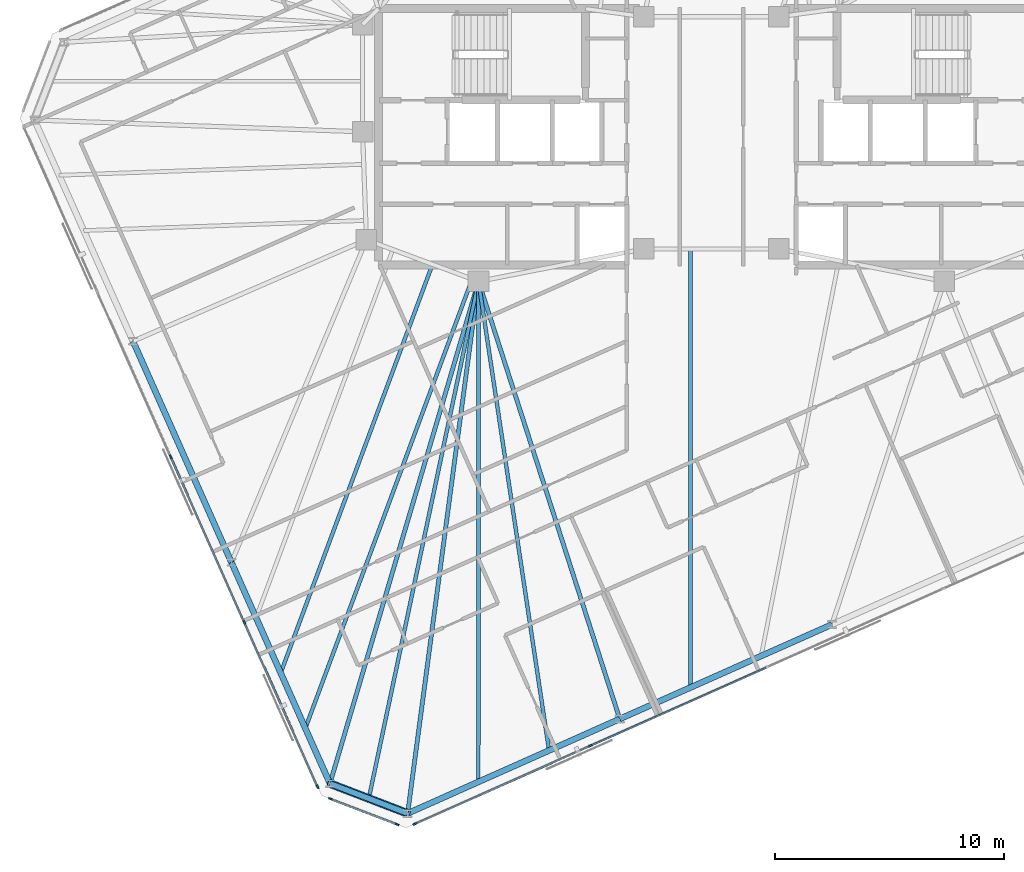
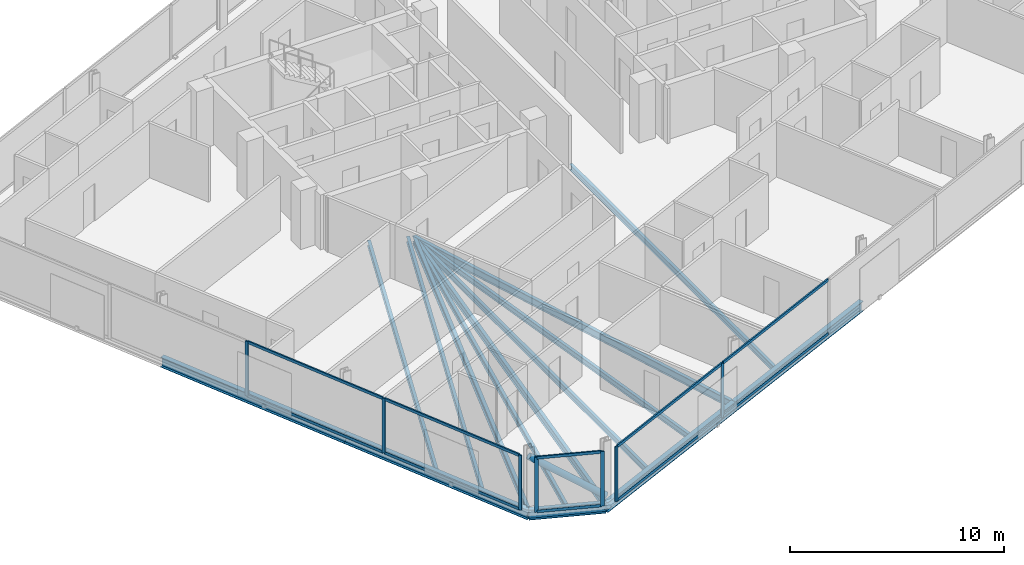
# One storey, part 5 of 19: 18 members, 14 beams, 3 elements without a shape of their own.
"""IFC4 building model written with IfcOpenShell, lengths in metres."""

from ifc_helpers import new_model, si_unit, direction, frame, origin, origin_2d, place, context, subcontext, project, spatial, rectangle, hollow_circle, i_section, extrude, material, material_profile, profile_set, type_object, element, aggregate, save


model = new_model("IFC4")

# Units and contexts
model_context = context("Model", 3, precision=1e-05, world=origin(), true_north=direction((0.0, 1.0)))
body_context = subcontext(model_context, "Body", "Model", "MODEL_VIEW")
ifc_project = project(units=[si_unit("LENGTHUNIT", "METRE"), si_unit("AREAUNIT", "SQUARE_METRE"), si_unit("VOLUMEUNIT", "CUBIC_METRE"), si_unit("PLANEANGLEUNIT", "RADIAN"), si_unit("MASSUNIT", "GRAM", prefix="KILO")], contexts=[model_context])

# Site, building, storey
site_placement = place(None, origin())
site = spatial("IfcSite", under=ifc_project, at=site_placement, CompositionType="ELEMENT")
building_placement = place(site_placement, origin())
building = spatial("IfcBuilding", under=site, at=building_placement, Name="Menara Jurai Vektor", CompositionType="ELEMENT")
storey_placement = place(building_placement, frame((0.0, 0.0, 295.300048828125)))
storey = spatial("IfcBuildingStorey", under=building, at=storey_placement, Name="L79", CompositionType="ELEMENT", Elevation=295.300048828125)

# Curtain wall, members
ifc_material_1 = material(Name="Anodised Pale Aluminium & Low-E Double Glazing", Category="aluminium")
curtain_wall_type = type_object("IfcCurtainWallType", Name="CW-BLK5", PredefinedType="NOTDEFINED", material=ifc_material_1)
curtain_wall_1_placement = place(storey_placement, origin())
curtain_wall_1 = element("IfcCurtainWall", 1, at=curtain_wall_1_placement, inside=storey, type_object=curtain_wall_type, Name="Unitised Curtain Wall L79 F01", PredefinedType="NOTDEFINED")
ifc_material_2 = material(Name="Anodised Pale Aluminium Mullion", Category="aluminium")
ifc_material_profile_1 = material_profile(ifc_material_2, rectangle(XDim=0.074951171875, YDim=0.175048828125, at=origin_2d()), Name="ALU MUL 75x175")
ifc_profile_set_1 = profile_set([ifc_material_profile_1], Name="Anodised Pale Aluminium Mullion")
member_type_1 = type_object("IfcMemberType", Name="CW-BLK5-MUL", PredefinedType="MULLION", material=ifc_profile_set_1)
member_1_placement = place(storey_placement, frame((-12.96875, -30.04052734375, 0.0), z_axis=(0.0, 0.0, 1.0), x_axis=(-0.406735498684, 0.913545967158, 0.0)))
member_1 = element("IfcMember", 2, at=member_1_placement, type_object=member_type_1, Name="CW-05 mullion 1", PredefinedType="MULLION", context=body_context, shape_type="SweptSolid", body=[
    extrude(rectangle(XDim=0.074951171875, YDim=0.175048828125, at=origin_2d()), origin(), (0.0, 0.0, 1.0), 3.125),
])
member_2_placement = place(storey_placement, frame((-5.292724609375, -26.623046875, 0.0), z_axis=(0.0, 0.0, 1.0), x_axis=(-0.406735498684, 0.913545967158, 0.0)))
member_2 = element("IfcMember", 3, at=member_2_placement, type_object=member_type_1, Name="CW-05 mullion 2", PredefinedType="MULLION", context=body_context, shape_type="SweptSolid", body=[
    extrude(rectangle(XDim=0.074951171875, YDim=0.175048828125, at=origin_2d()), origin(), (0.0, 0.0, 1.0), 3.125),
])

curtain_wall_2_placement = place(storey_placement, origin())
curtain_wall_2 = element("IfcCurtainWall", 4, at=curtain_wall_2_placement, inside=storey, type_object=curtain_wall_type, Name="Unitised Curtain Wall L79 F07", PredefinedType="NOTDEFINED")
member_3_placement = place(storey_placement, frame((-23.635986328125, -13.991943359375, 0.0), z_axis=(0.0, 0.0, 1.0), x_axis=(0.913546127706, 0.406735138086, 0.0)))
member_3 = element("IfcMember", 5, at=member_3_placement, type_object=member_type_1, Name="CW-05 mullion 3", PredefinedType="MULLION", context=body_context, shape_type="SweptSolid", body=[
    extrude(rectangle(XDim=0.074951171875, YDim=0.175048828125, at=origin_2d()), origin(), (0.0, 0.0, 1.0), 3.125),
])
member_4_placement = place(storey_placement, frame((-20.418701171875, -21.21826171875, 0.0), z_axis=(0.0, 0.0, 1.0), x_axis=(0.913546127706, 0.406735138086, 0.0)))
member_4 = element("IfcMember", 6, at=member_4_placement, type_object=member_type_1, Name="CW-05 mullion 4", PredefinedType="MULLION", context=body_context, shape_type="SweptSolid", body=[
    extrude(rectangle(XDim=0.074951171875, YDim=0.175048828125, at=origin_2d()), origin(), (0.0, 0.0, 1.0), 3.125),
])
member_5_placement = place(storey_placement, frame((-17.216796875, -28.41015625, 0.0), z_axis=(0.0, 0.0, 1.0), x_axis=(0.913546127706, 0.406735138086, 0.0)))
member_5 = element("IfcMember", 7, at=member_5_placement, type_object=member_type_1, Name="CW-05 mullion 5", PredefinedType="MULLION", context=body_context, shape_type="SweptSolid", body=[
    extrude(rectangle(XDim=0.074951171875, YDim=0.175048828125, at=origin_2d()), origin(), (0.0, 0.0, 1.0), 3.125),
])

curtain_wall_3_placement = place(storey_placement, origin())
curtain_wall_3 = element("IfcCurtainWall", 8, at=curtain_wall_3_placement, inside=storey, type_object=curtain_wall_type, Name="Unitised Curtain Wall L79 F08", PredefinedType="NOTDEFINED")
member_6_placement = place(storey_placement, frame((-16.656982421875, -28.94091796875, 0.0), z_axis=(0.0, 0.0, 1.0), x_axis=(0.358373766287, 0.933578193639, 0.0)))
member_6 = element("IfcMember", 9, at=member_6_placement, type_object=member_type_1, Name="CW-05 mullion 1", PredefinedType="MULLION", context=body_context, shape_type="SweptSolid", body=[
    extrude(rectangle(XDim=0.074951171875, YDim=0.175048828125, at=origin_2d()), origin(), (0.0, 0.0, 1.0), 3.125),
])
member_7_placement = place(storey_placement, frame((-13.739990234375, -30.060791015625, 0.0), z_axis=(0.0, 0.0, 1.0), x_axis=(0.358373766287, 0.933578193639, 0.0)))
member_7 = element("IfcMember", 10, at=member_7_placement, type_object=member_type_1, Name="CW-05 mullion 2", PredefinedType="MULLION", context=body_context, shape_type="SweptSolid", body=[
    extrude(rectangle(XDim=0.074951171875, YDim=0.175048828125, at=origin_2d()), origin(), (0.0, 0.0, 1.0), 3.125),
])

# Member
ifc_material_3 = material(Name="Anodised Pale Aluminium Transom", Category="aluminium")
ifc_material_profile_2 = material_profile(ifc_material_3, rectangle(XDim=0.074951171875, YDim=0.155029296875, at=origin_2d()), Name="ALU TRN 75x155")
ifc_profile_set_2 = profile_set([ifc_material_profile_2], Name="Anodised Pale Aluminium Transom")
member_type_2 = type_object("IfcMemberType", Name="CW-BLK5-TRN", PredefinedType="USERDEFINED", material=ifc_profile_set_2)
member_8_placement = place(storey_placement, frame((-12.9345703125, -30.025390625, 0.037353515625), z_axis=(0.913542963736, 0.406742244436, 0.0), x_axis=(-0.406742244436, 0.913542963736, 0.0)))
member_8 = element("IfcMember", 11, at=member_8_placement, type_object=member_type_2, Name="CW-05 transom 1.1", ObjectType="TRANSOM", PredefinedType="USERDEFINED", context=body_context, shape_type="SweptSolid", body=[
    extrude(rectangle(XDim=0.074951171875, YDim=0.155029296875, at=origin_2d()), origin(), (0.0, 0.0, 1.0), 8.32763671875),
])

member_9_placement = place(storey_placement, frame((-12.9345703125, -30.025390625, 3.08740234375), z_axis=(0.913542963736, 0.406742244436, 0.0), x_axis=(-0.406742244436, 0.913542963736, 0.0)))
member_9 = element("IfcMember", 12, at=member_9_placement, type_object=member_type_2, Name="CW-05 transom 1.2", ObjectType="TRANSOM", PredefinedType="USERDEFINED", context=body_context, shape_type="SweptSolid", body=[
    extrude(rectangle(XDim=0.074951171875, YDim=0.155029296875, at=origin_2d()), origin(), (0.0, 0.0, 1.0), 8.32763671875),
])

member_10_placement = place(storey_placement, frame((-5.25830078125, -26.60791015625, 0.037353515625), z_axis=(0.913541747007, 0.406744977198, 0.0), x_axis=(-0.406744977198, 0.913541747007, 0.0)))
member_10 = element("IfcMember", 13, at=member_10_placement, type_object=member_type_2, Name="CW-05 transom 2.1", ObjectType="TRANSOM", PredefinedType="USERDEFINED", context=body_context, shape_type="SweptSolid", body=[
    extrude(rectangle(XDim=0.074951171875, YDim=0.155029296875, at=origin_2d()), origin(), (0.0, 0.0, 1.0), 8.36474609375),
])

member_11_placement = place(storey_placement, frame((-5.25830078125, -26.60791015625, 3.08740234375), z_axis=(0.913541747007, 0.406744977198, 0.0), x_axis=(-0.406744977198, 0.913541747007, 0.0)))
member_11 = element("IfcMember", 14, at=member_11_placement, type_object=member_type_2, Name="CW-05 transom 2.2", ObjectType="TRANSOM", PredefinedType="USERDEFINED", context=body_context, shape_type="SweptSolid", body=[
    extrude(rectangle(XDim=0.074951171875, YDim=0.155029296875, at=origin_2d()), origin(), (0.0, 0.0, 1.0), 8.36474609375),
])

aggregate(curtain_wall_1, [member_1, member_2, member_8, member_9, member_10, member_11])

member_12_placement = place(storey_placement, frame((-23.620849609375, -14.0263671875, 0.037353515625), z_axis=(0.40674264085, -0.913542787238, 0.0), x_axis=(0.913542787238, 0.40674264085, 0.0)))
member_12 = element("IfcMember", 15, at=member_12_placement, type_object=member_type_2, Name="CW-05 transom 3.1", ObjectType="TRANSOM", PredefinedType="USERDEFINED", context=body_context, shape_type="SweptSolid", body=[
    extrude(rectangle(XDim=0.074951171875, YDim=0.155029296875, at=origin_2d()), origin(), (0.0, 0.0, 1.0), 7.8349609375),
])

member_13_placement = place(storey_placement, frame((-23.620849609375, -14.0263671875, 3.08740234375), z_axis=(0.40674264085, -0.913542787238, 0.0), x_axis=(0.913542787238, 0.40674264085, 0.0)))
member_13 = element("IfcMember", 16, at=member_13_placement, type_object=member_type_2, Name="CW-05 transom 3.2", ObjectType="TRANSOM", PredefinedType="USERDEFINED", context=body_context, shape_type="SweptSolid", body=[
    extrude(rectangle(XDim=0.074951171875, YDim=0.155029296875, at=origin_2d()), origin(), (0.0, 0.0, 1.0), 7.8349609375),
])

member_14_placement = place(storey_placement, frame((-20.403564453125, -21.25244140625, 0.037353515625), z_axis=(0.406751345283, -0.913538911656, 0.0), x_axis=(0.913538911656, 0.406751345283, 0.0)))
member_14 = element("IfcMember", 17, at=member_14_placement, type_object=member_type_2, Name="CW-05 transom 4.1", ObjectType="TRANSOM", PredefinedType="USERDEFINED", context=body_context, shape_type="SweptSolid", body=[
    extrude(rectangle(XDim=0.074951171875, YDim=0.155029296875, at=origin_2d()), origin(), (0.0, 0.0, 1.0), 7.79736328125),
])

member_15_placement = place(storey_placement, frame((-20.403564453125, -21.25244140625, 3.08740234375), z_axis=(0.406751345283, -0.913538911656, 0.0), x_axis=(0.913538911656, 0.406751345283, 0.0)))
member_15 = element("IfcMember", 18, at=member_15_placement, type_object=member_type_2, Name="CW-05 transom 4.2", ObjectType="TRANSOM", PredefinedType="USERDEFINED", context=body_context, shape_type="SweptSolid", body=[
    extrude(rectangle(XDim=0.074951171875, YDim=0.155029296875, at=origin_2d()), origin(), (0.0, 0.0, 1.0), 7.79736328125),
])

aggregate(curtain_wall_2, [member_3, member_4, member_5, member_12, member_13, member_14, member_15])

member_16_placement = place(storey_placement, frame((-16.6220703125, -28.95458984375, 0.037353515625), z_axis=(0.933597094911, -0.358324523823, 0.0), x_axis=(0.358324523823, 0.933597094911, 0.0)))
member_16 = element("IfcMember", 19, at=member_16_placement, type_object=member_type_2, Name="CW-05 transom 1.1", ObjectType="TRANSOM", PredefinedType="USERDEFINED", context=body_context, shape_type="SweptSolid", body=[
    extrude(rectangle(XDim=0.074951171875, YDim=0.155029296875, at=origin_2d()), origin(), (0.0, 0.0, 1.0), 3.049560546875),
])

member_17_placement = place(storey_placement, frame((-16.6220703125, -28.95458984375, 3.08740234375), z_axis=(0.933597094911, -0.358324523823, 0.0), x_axis=(0.358324523823, 0.933597094911, 0.0)))
member_17 = element("IfcMember", 20, at=member_17_placement, type_object=member_type_2, Name="CW-05 transom 1.2", ObjectType="TRANSOM", PredefinedType="USERDEFINED", context=body_context, shape_type="SweptSolid", body=[
    extrude(rectangle(XDim=0.074951171875, YDim=0.155029296875, at=origin_2d()), origin(), (0.0, 0.0, 1.0), 3.049560546875),
])

aggregate(curtain_wall_3, [member_6, member_7, member_16, member_17])

# Beams
ifc_material_4 = material(Name="Steel S355", Category="steel")
ifc_material_profile_3 = material_profile(ifc_material_4, i_section(OverallWidth=0.18505859375, OverallDepth=0.429931640625, WebThickness=0.010986328125, FlangeThickness=0.01806640625, at=origin_2d()), Name="PG 430x185x76")
ifc_profile_set_3 = profile_set([ifc_material_profile_3], Name="Steel S355")
beam_type_1 = type_object("IfcBeamType", Name="STR-BM-430", PredefinedType="BEAM", material=ifc_profile_set_3)
beam_1_placement = place(storey_placement, frame((-13.279541015625, -29.576904296875, -0.43994140625), z_axis=(0.132109192855, 0.991235169454, 0.0), x_axis=(-0.991235169454, 0.132109192855, 0.0)))
element("IfcBeam", 21, at=beam_1_placement, inside=storey, type_object=beam_type_1, Name="Radial Floor Girder L79-S1", PredefinedType="BEAM", context=body_context, shape_type="SweptSolid", body=[
    extrude(i_section(OverallWidth=0.18505859375, OverallDepth=0.429931640625, WebThickness=0.010986328125, FlangeThickness=0.01806640625, at=origin_2d()), origin(), (0.0, 0.0, 1.0), 23.46240234375),
])
beam_2_placement = place(storey_placement, frame((-4.006103515625, -25.4482421875, -0.43994140625), z_axis=(-0.307158217721, 0.95165846252, 0.0), x_axis=(-0.95165846252, -0.307158217721, 0.0)))
element("IfcBeam", 22, at=beam_2_placement, inside=storey, type_object=beam_type_1, Name="Radial Floor Girder L79-S2", PredefinedType="BEAM", context=body_context, shape_type="SweptSolid", body=[
    extrude(i_section(OverallWidth=0.18505859375, OverallDepth=0.429931640625, WebThickness=0.010986328125, FlangeThickness=0.01806640625, at=origin_2d()), origin(), (0.0, 0.0, 1.0), 20.099853515625),
])
beam_3_placement = place(storey_placement, frame((-16.675537109375, -28.2734375, -0.43994140625), z_axis=(0.283723047838, 0.958906268686, 0.0), x_axis=(-0.958906268686, 0.283723047838, 0.0)))
element("IfcBeam", 23, at=beam_3_placement, inside=storey, type_object=beam_type_1, Name="Radial Floor Girder L79-W4", PredefinedType="BEAM", context=body_context, shape_type="SweptSolid", body=[
    extrude(i_section(OverallWidth=0.18505859375, OverallDepth=0.429931640625, WebThickness=0.010986328125, FlangeThickness=0.01806640625, at=origin_2d()), origin(), (0.0, 0.0, 1.0), 22.894287109375),
])

# Member
ifc_material_5 = material(Name="Steel S460", Category="steel")
ifc_material_profile_4 = material_profile(ifc_material_5, hollow_circle(Radius=0.177734375, WallThickness=0.01611328125, at=origin_2d()), Name="CHS 355.6x16")
ifc_profile_set_4 = profile_set([ifc_material_profile_4], Name="Steel S460")
member_type_3 = type_object("IfcMemberType", Name="STR-BR-356", PredefinedType="BRACE", material=ifc_profile_set_4)
member_18_placement = place(storey_placement, frame((-13.279541015625, -29.576904296875, 0.14990234375), z_axis=(-0.757054002265, 0.290575939475, 0.585179340931), x_axis=(-0.358335850414, -0.933592747566, 0.0)))
element("IfcMember", 24, at=member_18_placement, inside=storey, type_object=member_type_3, Name="Exoskeleton Corner Brace L79-4", PredefinedType="BRACE", context=body_context, shape_type="SweptSolid", body=[
    extrude(hollow_circle(Radius=0.177734375, WallThickness=0.01611328125, at=origin_2d()), origin(), (0.0, 0.0, 1.0), 4.48583984375),
])

# Beams
ifc_material_profile_5 = material_profile(ifc_material_4, i_section(OverallWidth=0.1650390625, OverallDepth=0.330078125, WebThickness=0.009033203125, FlangeThickness=0.013916015625, at=origin_2d()), Name="PG 330x165x46")
ifc_profile_set_5 = profile_set([ifc_material_profile_5], Name="Steel S355")
beam_type_2 = type_object("IfcBeamType", Name="STR-JS-330", PredefinedType="JOIST", material=ifc_profile_set_5)
beam_4_placement = place(storey_placement, frame((-10.188232421875, -28.20068359375, -0.39013671875), z_axis=(0.000379366876, 0.99999992804, 0.0), x_axis=(-0.99999992804, 0.000379366876, 0.0)))
element("IfcBeam", 25, at=beam_4_placement, inside=storey, type_object=beam_type_2, Name="Radial Secondary Floor Joist L79-JS01", PredefinedType="JOIST", context=body_context, shape_type="SweptSolid", body=[
    extrude(i_section(OverallWidth=0.1650390625, OverallDepth=0.330078125, WebThickness=0.009033203125, FlangeThickness=0.013916015625, at=origin_2d()), origin(), (0.0, 0.0, 1.0), 21.880615234375),
])
beam_5_placement = place(storey_placement, frame((-7.09716796875, -26.824462890625, -0.39013671875), z_axis=(-0.148675540239, 0.988886031722, 0.0), x_axis=(-0.988886031722, -0.148675540239, 0.0)))
element("IfcBeam", 26, at=beam_5_placement, inside=storey, type_object=beam_type_2, Name="Radial Secondary Floor Joist L79-JS02", PredefinedType="JOIST", context=body_context, shape_type="SweptSolid", body=[
    extrude(i_section(OverallWidth=0.1650390625, OverallDepth=0.330078125, WebThickness=0.009033203125, FlangeThickness=0.013916015625, at=origin_2d()), origin(), (0.0, 0.0, 1.0), 20.73486328125),
])
beam_6_placement = place(storey_placement, frame((-0.914794921875, -24.072021484375, -0.39013671875), z_axis=(0.0, 1.0, 0.0), x_axis=(-1.0, 0.0, 0.0)))
element("IfcBeam", 27, at=beam_6_placement, inside=storey, type_object=beam_type_2, Name="Radial Secondary Floor Joist L79-JS03", PredefinedType="JOIST", context=body_context, shape_type="SweptSolid", body=[
    extrude(i_section(OverallWidth=0.1650390625, OverallDepth=0.330078125, WebThickness=0.009033203125, FlangeThickness=0.013916015625, at=origin_2d()), origin(), (0.0, 0.0, 1.0), 19.172119140625),
])
beam_7_placement = place(storey_placement, frame((-18.828125, -23.4384765625, -0.39013671875), z_axis=(0.348177845571, 0.937428497462, 0.0), x_axis=(-0.937428497462, 0.348177845571, 0.0)))
element("IfcBeam", 28, at=beam_7_placement, inside=storey, type_object=beam_type_2, Name="Radial Secondary Floor Joist L79-JS29", PredefinedType="JOIST", context=body_context, shape_type="SweptSolid", body=[
    extrude(i_section(OverallWidth=0.1650390625, OverallDepth=0.330078125, WebThickness=0.009033203125, FlangeThickness=0.013916015625, at=origin_2d()), origin(), (0.0, 0.0, 1.0), 19.05859375),
])
beam_8_placement = place(storey_placement, frame((-17.751953125, -25.85595703125, -0.39013671875), z_axis=(0.348185651823, 0.937425598042, 0.0), x_axis=(-0.937425598042, 0.348185651823, 0.0)))
element("IfcBeam", 29, at=beam_8_placement, inside=storey, type_object=beam_type_2, Name="Radial Secondary Floor Joist L79-JS30", PredefinedType="JOIST", context=body_context, shape_type="SweptSolid", body=[
    extrude(i_section(OverallWidth=0.1650390625, OverallDepth=0.330078125, WebThickness=0.009033203125, FlangeThickness=0.013916015625, at=origin_2d()), origin(), (0.0, 0.0, 1.0), 20.949951171875),
])
beam_9_placement = place(storey_placement, frame((-14.9775390625, -28.92529296875, -0.39013671875), z_axis=(0.207610208592, 0.978211634202, 0.0), x_axis=(-0.978211634202, 0.207610208592, 0.0)))
element("IfcBeam", 30, at=beam_9_placement, inside=storey, type_object=beam_type_2, Name="Radial Secondary Floor Joist L79-JS31", PredefinedType="JOIST", context=body_context, shape_type="SweptSolid", body=[
    extrude(i_section(OverallWidth=0.1650390625, OverallDepth=0.330078125, WebThickness=0.009033203125, FlangeThickness=0.013916015625, at=origin_2d()), origin(), (0.0, 0.0, 1.0), 23.108642578125),
])
ifc_material_profile_6 = material_profile(ifc_material_4, i_section(OverallWidth=0.260009765625, OverallDepth=0.570068359375, WebThickness=0.013916015625, FlangeThickness=0.02392578125, at=origin_2d()), Name="PG 570x260x145")
ifc_profile_set_6 = profile_set([ifc_material_profile_6], Name="Steel S355")
beam_type_3 = type_object("IfcBeamType", Name="STR-SP-570", PredefinedType="SPANDREL", material=ifc_profile_set_6)
beam_10_placement = place(storey_placement, frame((-13.279541015625, -29.576904296875, -0.510009765625), z_axis=(0.913550519143, 0.406725274569, 0.0), x_axis=(-0.406725274569, 0.913550519143, 0.0)))
element("IfcBeam", 31, at=beam_10_placement, inside=storey, type_object=beam_type_3, Name="Exoskeleton Spandrel Beam L79-01", PredefinedType="SPANDREL", context=body_context, shape_type="SweptSolid", body=[
    extrude(i_section(OverallWidth=0.260009765625, OverallDepth=0.570068359375, WebThickness=0.013916015625, FlangeThickness=0.02392578125, at=origin_2d()), origin(), (0.0, 0.0, 1.0), 10.15087890625),
])
beam_11_placement = place(storey_placement, frame((-4.006103515625, -25.4482421875, -0.510009765625), z_axis=(0.913545561407, 0.406736410017, 0.0), x_axis=(-0.406736410017, 0.913545561407, 0.0)))
element("IfcBeam", 32, at=beam_11_placement, inside=storey, type_object=beam_type_3, Name="Exoskeleton Spandrel Beam L79-02", PredefinedType="SPANDREL", context=body_context, shape_type="SweptSolid", body=[
    extrude(i_section(OverallWidth=0.260009765625, OverallDepth=0.570068359375, WebThickness=0.013916015625, FlangeThickness=0.02392578125, at=origin_2d()), origin(), (0.0, 0.0, 1.0), 10.1513671875),
])
for number, where, z_axis, x_axis, name in (
    (33, (-25.286376953125, -8.933349609375, -0.510009765625), (0.406744000616, -0.913542181819, 0.0), (0.913542181819, 0.406744000616, 0.0), "Exoskeleton Spandrel Beam L79-18"),
    (34, (-20.98095703125, -18.603271484375, -0.510009765625), (0.40673543049, -0.91354599752, 0.0), (0.91354599752, 0.40673543049, 0.0), "Exoskeleton Spandrel Beam L79-19"),
):
    element("IfcBeam", number, at=place(storey_placement, frame(where, z_axis=z_axis, x_axis=x_axis)), inside=storey, type_object=beam_type_3, Name=name, PredefinedType="SPANDREL", context=body_context, shape_type="SweptSolid", body=[
        extrude(i_section(OverallWidth=0.260009765625, OverallDepth=0.570068359375, WebThickness=0.013916015625, FlangeThickness=0.02392578125, at=origin_2d()), origin(), (0.0, 0.0, 1.0), 10.585205078125),
    ])
beam_12_placement = place(storey_placement, frame((-16.675537109375, -28.2734375, -0.510009765625), z_axis=(0.933592747566, -0.358335850414, 0.0), x_axis=(0.358335850414, 0.933592747566, 0.0)))
element("IfcBeam", 35, at=beam_12_placement, inside=storey, type_object=beam_type_3, Name="Exoskeleton Spandrel Beam L79-20", PredefinedType="SPANDREL", context=body_context, shape_type="SweptSolid", body=[
    extrude(i_section(OverallWidth=0.260009765625, OverallDepth=0.570068359375, WebThickness=0.013916015625, FlangeThickness=0.02392578125, at=origin_2d()), origin(), (0.0, 0.0, 1.0), 3.637451171875),
])

save(model, "model.ifc")
